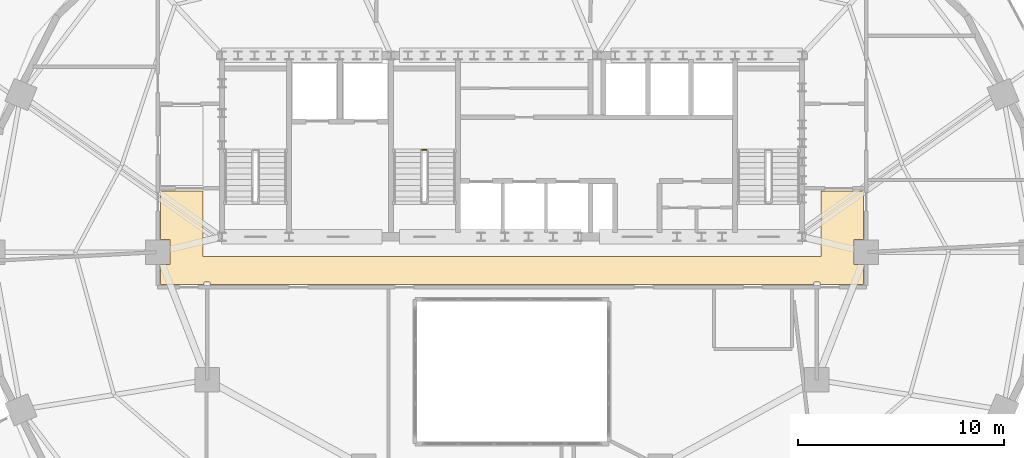
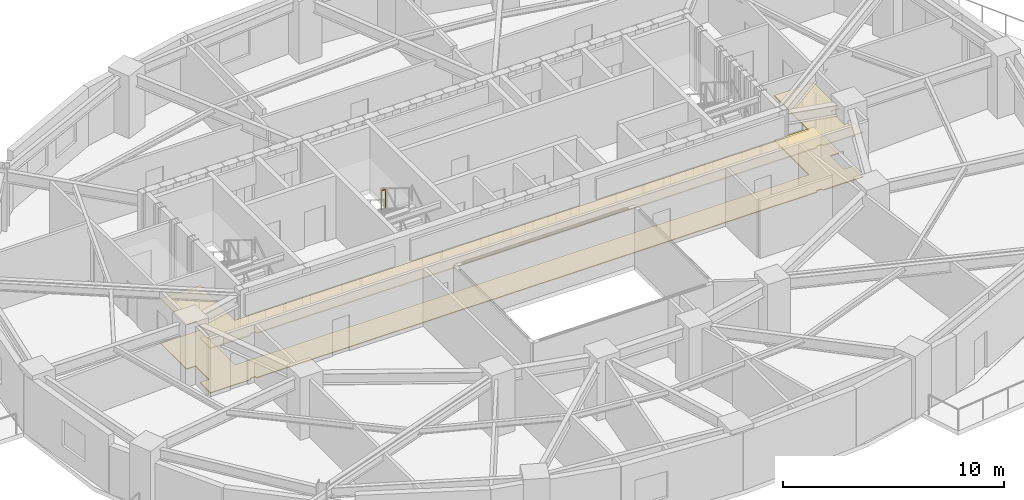
# One storey, part 10 of 11: 2 coverings, 1 railing.
"""IFC4 building model written with IfcOpenShell, lengths in metres."""

from ifc_helpers import new_model, si_unit, direction, frame, origin, origin_2d, place, context, subcontext, project, spatial, polyline, rectangle, outline, extrude, material, layer, layer_set, type_object, element, save


model = new_model("IFC4")

# Units and contexts
model_context = context("Model", 3, precision=1e-05, world=origin(), true_north=direction((0.0, 1.0)))
body_context = subcontext(model_context, "Body", "Model", "MODEL_VIEW")
ifc_project = project(units=[si_unit("LENGTHUNIT", "METRE"), si_unit("AREAUNIT", "SQUARE_METRE"), si_unit("VOLUMEUNIT", "CUBIC_METRE"), si_unit("PLANEANGLEUNIT", "RADIAN"), si_unit("MASSUNIT", "GRAM", prefix="KILO")], contexts=[model_context])

# Site, building, storey
site_placement = place(None, origin())
site = spatial("IfcSite", under=ifc_project, at=site_placement, CompositionType="ELEMENT")
building_placement = place(site_placement, origin())
building = spatial("IfcBuilding", under=site, at=building_placement, Name="Haldorwick Loom Tower", CompositionType="ELEMENT")
storey_placement = place(building_placement, frame((0.0, 0.0, 171.699951171875)))
storey = spatial("IfcBuildingStorey", under=building, at=storey_placement, Name="L46", CompositionType="ELEMENT", Elevation=171.699951171875)

# Coverings
ifc_material_1 = material(Name="Mineral Fibre Acoustic Ceiling Tile")
ifc_layer_1 = layer(ifc_material_1, 0.054931640625, Name="Mineral Fibre Acoustic Ceiling Tile")
ifc_layer_set_1 = layer_set([ifc_layer_1], Name="Mineral Fibre Acoustic Ceiling Tile")
covering_type_1 = type_object("IfcCoveringType", Name="ARC-COV-CEIL2", PredefinedType="CEILING", material=ifc_layer_set_1)
covering_1_placement = place(storey_placement, frame((0.0, 0.0, 2.4580078125)))
element("IfcCovering", 1, at=covering_1_placement, inside=storey, type_object=covering_type_1, Name="L46 Acoustic Suspended Ceiling 1", PredefinedType="CEILING", context=body_context, shape_type="SweptSolid", body=[
    extrude(outline(polyline([(51.0, 28.9599609375), (51.0, 25.800048828125), (21.0, 25.800048828125), (21.0, 28.9599609375), (18.93994140625, 28.9599609375), (18.93994140625, 26.60791015625), (19.407958984375, 26.60791015625), (19.407958984375, 25.39208984375), (18.93994140625, 25.39208984375), (18.93994140625, 24.43994140625), (21.06005859375, 24.43994140625), (21.06005859375, 24.52001953125), (21.06005859375, 24.52197265625), (21.060302734375, 24.52392578125), (21.060791015625, 24.52587890625), (21.0615234375, 24.527587890625), (21.0625, 24.529296875), (21.0634765625, 24.531005859375), (21.064453125, 24.53271484375), (21.06591796875, 24.5341796875), (21.0673828125, 24.535400390625), (21.06884765625, 24.53662109375), (21.070556640625, 24.53759765625), (21.072265625, 24.53857421875), (21.07421875, 24.5390625), (21.076171875, 24.53955078125), (21.077880859375, 24.539794921875), (21.080078125, 24.5400390625), (21.320068359375, 24.5400390625), (21.322021484375, 24.539794921875), (21.323974609375, 24.53955078125), (21.32568359375, 24.5390625), (21.32763671875, 24.53857421875), (21.329345703125, 24.53759765625), (21.3310546875, 24.53662109375), (21.332763671875, 24.535400390625), (21.333984375, 24.5341796875), (21.33544921875, 24.53271484375), (21.336669921875, 24.531005859375), (21.337646484375, 24.529296875), (21.33837890625, 24.527587890625), (21.339111328125, 24.52587890625), (21.339599609375, 24.52392578125), (21.33984375, 24.52197265625), (21.340087890625, 24.52001953125), (21.340087890625, 24.43994140625), (50.659912109375, 24.43994140625), (50.659912109375, 24.52001953125), (50.66015625, 24.52197265625), (50.660400390625, 24.52392578125), (50.660888671875, 24.52587890625), (50.66162109375, 24.527587890625), (50.662353515625, 24.529296875), (50.663330078125, 24.531005859375), (50.66455078125, 24.53271484375), (50.666015625, 24.5341796875), (50.667236328125, 24.535400390625), (50.6689453125, 24.53662109375), (50.670654296875, 24.53759765625), (50.67236328125, 24.53857421875), (50.67431640625, 24.5390625), (50.676025390625, 24.53955078125), (50.677978515625, 24.539794921875), (50.679931640625, 24.5400390625), (50.919921875, 24.5400390625), (50.922119140625, 24.539794921875), (50.923828125, 24.53955078125), (50.92578125, 24.5390625), (50.927734375, 24.53857421875), (50.929443359375, 24.53759765625), (50.93115234375, 24.53662109375), (50.9326171875, 24.535400390625), (50.93408203125, 24.5341796875), (50.935546875, 24.53271484375), (50.9365234375, 24.531005859375), (50.9375, 24.529296875), (50.9384765625, 24.527587890625), (50.939208984375, 24.52587890625), (50.939697265625, 24.52392578125), (50.93994140625, 24.52197265625), (50.93994140625, 24.52001953125), (50.93994140625, 24.43994140625), (53.06005859375, 24.43994140625), (53.06005859375, 25.39208984375), (52.592041015625, 25.39208984375), (52.592041015625, 26.60791015625), (53.06005859375, 26.60791015625), (53.06005859375, 28.9599609375), (51.0, 28.9599609375)])), origin(), (0.0, 0.0, 1.0), 0.054931640625),
])
ifc_material_2 = material(Name="Polished Aggregate Terrazzo Finish")
ifc_layer_2 = layer(ifc_material_2, 0.044921875, Name="Polished Aggregate Terrazzo Finish")
ifc_layer_set_2 = layer_set([ifc_layer_2], Name="Polished Aggregate Terrazzo Finish")
covering_type_2 = type_object("IfcCoveringType", Name="ARC-COV-FLOOR2", PredefinedType="FLOORING", material=ifc_layer_set_2)
covering_2_placement = place(storey_placement, origin())
element("IfcCovering", 2, at=covering_2_placement, inside=storey, type_object=covering_type_2, Name="L46 Floor Finish 1", PredefinedType="FLOORING", context=body_context, shape_type="SweptSolid", body=[
    extrude(outline(polyline([(51.0, 28.9599609375), (51.0, 25.800048828125), (21.0, 25.800048828125), (21.0, 28.9599609375), (18.93994140625, 28.9599609375), (18.93994140625, 26.60791015625), (19.407958984375, 26.60791015625), (19.407958984375, 25.39208984375), (18.93994140625, 25.39208984375), (18.93994140625, 24.43994140625), (21.06005859375, 24.43994140625), (21.06005859375, 24.52001953125), (21.06005859375, 24.52197265625), (21.060302734375, 24.52392578125), (21.060791015625, 24.52587890625), (21.0615234375, 24.527587890625), (21.0625, 24.529296875), (21.0634765625, 24.531005859375), (21.064453125, 24.53271484375), (21.06591796875, 24.5341796875), (21.0673828125, 24.535400390625), (21.06884765625, 24.53662109375), (21.070556640625, 24.53759765625), (21.072265625, 24.53857421875), (21.07421875, 24.5390625), (21.076171875, 24.53955078125), (21.077880859375, 24.539794921875), (21.080078125, 24.5400390625), (21.320068359375, 24.5400390625), (21.322021484375, 24.539794921875), (21.323974609375, 24.53955078125), (21.32568359375, 24.5390625), (21.32763671875, 24.53857421875), (21.329345703125, 24.53759765625), (21.3310546875, 24.53662109375), (21.332763671875, 24.535400390625), (21.333984375, 24.5341796875), (21.33544921875, 24.53271484375), (21.336669921875, 24.531005859375), (21.337646484375, 24.529296875), (21.33837890625, 24.527587890625), (21.339111328125, 24.52587890625), (21.339599609375, 24.52392578125), (21.33984375, 24.52197265625), (21.340087890625, 24.52001953125), (21.340087890625, 24.43994140625), (50.659912109375, 24.43994140625), (50.659912109375, 24.52001953125), (50.66015625, 24.52197265625), (50.660400390625, 24.52392578125), (50.660888671875, 24.52587890625), (50.66162109375, 24.527587890625), (50.662353515625, 24.529296875), (50.663330078125, 24.531005859375), (50.66455078125, 24.53271484375), (50.666015625, 24.5341796875), (50.667236328125, 24.535400390625), (50.6689453125, 24.53662109375), (50.670654296875, 24.53759765625), (50.67236328125, 24.53857421875), (50.67431640625, 24.5390625), (50.676025390625, 24.53955078125), (50.677978515625, 24.539794921875), (50.679931640625, 24.5400390625), (50.919921875, 24.5400390625), (50.922119140625, 24.539794921875), (50.923828125, 24.53955078125), (50.92578125, 24.5390625), (50.927734375, 24.53857421875), (50.929443359375, 24.53759765625), (50.93115234375, 24.53662109375), (50.9326171875, 24.535400390625), (50.93408203125, 24.5341796875), (50.935546875, 24.53271484375), (50.9365234375, 24.531005859375), (50.9375, 24.529296875), (50.9384765625, 24.527587890625), (50.939208984375, 24.52587890625), (50.939697265625, 24.52392578125), (50.93994140625, 24.52197265625), (50.93994140625, 24.52001953125), (50.93994140625, 24.43994140625), (53.06005859375, 24.43994140625), (53.06005859375, 25.39208984375), (52.592041015625, 25.39208984375), (52.592041015625, 26.60791015625), (53.06005859375, 26.60791015625), (53.06005859375, 28.9599609375), (51.0, 28.9599609375)])), origin(), (0.0, 0.0, 1.0), 0.045166015625),
])

# Railing
ifc_material_3 = material(Name="Steel CSA G40.21 350W", Category="steel")
railing_type = type_object("IfcRailingType", Name="ARC-RLG-GUARD112", PredefinedType="GUARDRAIL", material=ifc_material_3)
railing_placement = place(storey_placement, frame((31.85009765625, 30.969970703125, 1.72509765625)))
element("IfcRailing", 3, at=railing_placement, inside=storey, type_object=railing_type, Name="L46 ST-03 stair guard 2", PredefinedType="GUARDRAIL", context=body_context, shape_type="SweptSolid", body=[
    extrude(rectangle(XDim=0.048095703125, YDim=0.048095703125, at=origin_2d()), frame((0.0, 0.0, 1.076171875), z_axis=(-1.0, 0.0, 0.0), x_axis=(0.0, -1.0, 0.0)), (0.0, 0.0, 1.0), 0.2001953125),
    extrude(rectangle(XDim=0.0419921875, YDim=0.0419921875, at=origin_2d()), origin(), (0.0, 0.0, 1.0), 1.052001953125),
    extrude(rectangle(XDim=0.0419921875, YDim=0.0419921875, at=origin_2d()), frame((-0.2001953125, 0.0, 0.0)), (0.0, 0.0, 1.0), 1.052001953125),
])

save(model, "model.ifc")
